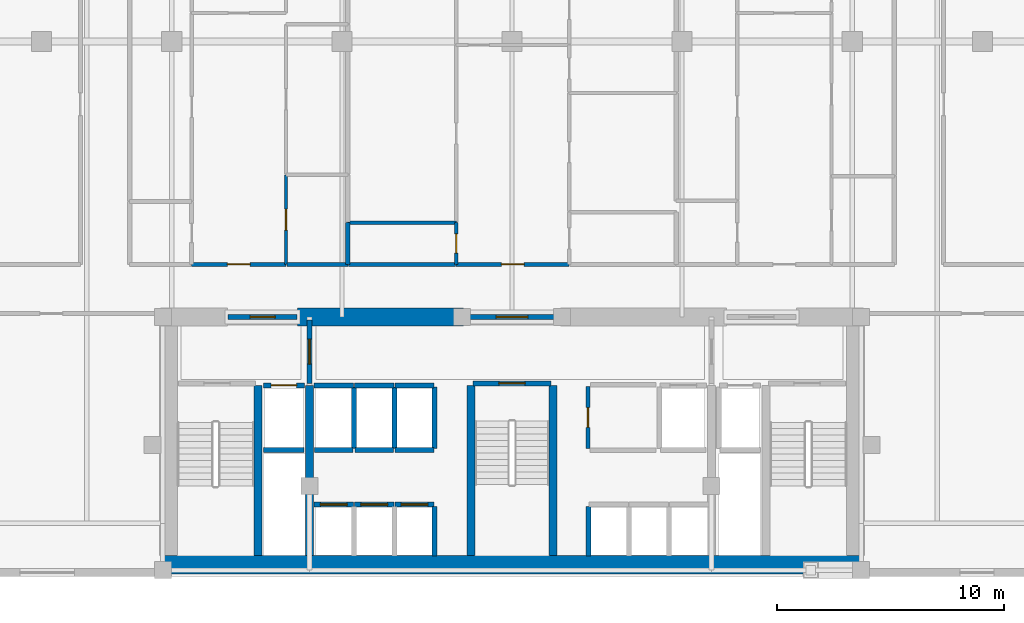
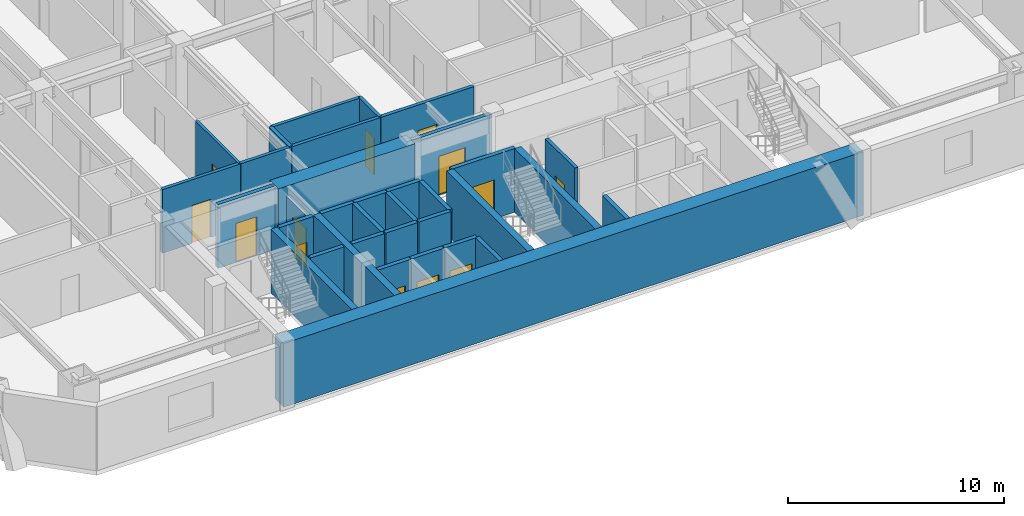
# One storey, part 3 of 10: 35 walls, 13 doors, 13 openings.
"""IFC4 building model written with IfcOpenShell, lengths in metres."""

from ifc_helpers import new_model, si_unit, direction, frame, frame_2d, origin, place, context, subcontext, project, spatial, rectangle, extrude, material, layer, layer_set, type_object, element, fill, save


model = new_model("IFC4")

# Units and contexts
model_context = context("Model", 3, precision=1e-05, world=origin(), true_north=direction((0.0, 1.0)))
body_context = subcontext(model_context, "Body", "Model", "MODEL_VIEW")
ifc_project = project(units=[si_unit("LENGTHUNIT", "METRE"), si_unit("AREAUNIT", "SQUARE_METRE"), si_unit("VOLUMEUNIT", "CUBIC_METRE"), si_unit("PLANEANGLEUNIT", "RADIAN"), si_unit("MASSUNIT", "GRAM", prefix="KILO")], contexts=[model_context])

# Site, building, storey
site_placement = place(None, origin())
site = spatial("IfcSite", under=ifc_project, at=site_placement, CompositionType="ELEMENT")
building_placement = place(site_placement, origin())
building = spatial("IfcBuilding", under=site, at=building_placement, Name="Ventersveld Concourse Tower", CompositionType="ELEMENT")
storey_placement = place(building_placement, frame((0.0, 0.0, 60.60009765625)))
storey = spatial("IfcBuildingStorey", under=building, at=storey_placement, Name="L14", CompositionType="ELEMENT", Elevation=60.60009765625)

# Walls
ifc_material_1 = material(Name="Concrete C60/75", Category="concrete")
ifc_layer_1 = layer(ifc_material_1, 0.35009765625)
ifc_layer_set_1 = layer_set([ifc_layer_1], Name="Concrete C60/75")
wall_type_1 = type_object("IfcWallType", Name="WL-CORE-350L", PredefinedType="SHEAR", material=ifc_layer_set_1)
for number, where, z_axis, x_axis, name in (
    (1, (17.5400390625, 0.919921875, 0.0), (0.0, 0.0, 1.0), (0.0, 1.0, 0.0), "L14 Core Internal Shear Web W-ST1-E"),
    (2, (19.820068359375, 0.919921875, 0.0), (0.0, 0.0, 1.0), (0.0, 1.0, 0.0), "L14 Core Internal Shear Web W-FF1-E"),
    (3, (26.93994140625, 0.919921875, 0.0), (0.0, 0.0, 1.0), (0.0, 1.0, 0.0), "L14 Core Internal Shear Web W-ST3-W"),
    (4, (30.56005859375, 0.919921875, 0.0), (0.0, 0.0, 1.0), (0.0, 1.0, 0.0), "L14 Core Internal Shear Web W-ST3-E"),
):
    element("IfcWall", number, at=place(storey_placement, frame(where, z_axis=z_axis, x_axis=x_axis)), inside=storey, type_object=wall_type_1, Name=name, PredefinedType="SHEAR", context=body_context, shape_type="SweptSolid", body=[
        extrude(rectangle(XDim=7.5, YDim=0.35009765625, at=frame_2d((3.75, 0.0))), origin(), (0.0, 0.0, 1.0), 3.599853515625),
    ])
ifc_layer_2 = layer(ifc_material_1, 0.800048828125)
ifc_layer_set_2 = layer_set([ifc_layer_2], Name="Concrete C60/75")
wall_type_2 = type_object("IfcWallType", Name="WL-CORE-800", PredefinedType="SHEAR", material=ifc_layer_set_2)
wall_1_placement = place(storey_placement, frame((13.25, 0.52001953125, 0.0), z_axis=(0.0, 0.0, 1.0), x_axis=(1.0, 0.0, 0.0)))
element("IfcWall", 5, at=wall_1_placement, inside=storey, type_object=wall_type_2, Name="L14 Rear Core South Shear Wall", PredefinedType="SHEAR", context=body_context, shape_type="SweptSolid", body=[
    extrude(rectangle(XDim=31.0, YDim=0.800048828125, at=frame_2d((15.5, 0.0))), origin(), (0.0, 0.0, 1.0), 3.599853515625),
])
wall_2_placement = place(storey_placement, frame((19.300048828125, 11.449951171875, 0.0), z_axis=(0.0, 0.0, 1.0), x_axis=(1.0, 0.0, 0.0)))
element("IfcWall", 6, at=wall_2_placement, inside=storey, type_object=wall_type_2, Name="L14 Rear Core North Shear Wall NML", PredefinedType="SHEAR", context=body_context, shape_type="SweptSolid", body=[
    extrude(rectangle(XDim=7.300048828125, YDim=0.800048828125, at=frame_2d((3.64990234375, 0.0))), origin(), (0.0, 0.0, 1.0), 3.599853515625),
])

# Wall, opening, door
ifc_material_2 = material(Name="Fire-rated autoclaved aerated masonry blockwork", Category="masonry")
ifc_layer_3 = layer(ifc_material_2, 0.179931640625)
ifc_layer_set_3 = layer_set([ifc_layer_3], Name="Fire-rated autoclaved aerated masonry blockwork")
wall_type_3 = type_object("IfcWallType", Name="WL-CORR-180", PredefinedType="PARTITIONING", material=ifc_layer_set_3)
wall_3_placement = place(storey_placement, frame((32.10009765625, 5.64990234375, 0.0), z_axis=(0.0, 0.0, 1.0), x_axis=(0.0, 1.0, 0.0)))
wall_3 = element("IfcWall", 7, at=wall_3_placement, inside=storey, type_object=wall_type_3, Name="L14 Core Passage Wall SP-L14-CBAY1", PredefinedType="PARTITIONING", context=body_context, shape_type="SweptSolid", body=[
    extrude(rectangle(XDim=2.72998046875, YDim=0.179931640625, at=frame_2d((1.364990234375, 0.0))), origin(), (0.0, 0.0, 1.0), 3.599853515625),
])
opening_1_placement = place(wall_3_placement, frame((0.925048828125, 0.0, 0.0)))
opening_1 = element("IfcOpeningElement", 8, at=opening_1_placement, cuts=wall_3, Name="Opening FD5", PredefinedType="OPENING", context=body_context, shape_type="SweptSolid", body=[
    extrude(rectangle(XDim=0.8798828125, YDim=2.050048828125, at=frame_2d((0.43994140625, 1.02490234375))), frame((0.0, 0.10009765625, 0.0), z_axis=(0.0, -1.0, 0.0), x_axis=(1.0, 0.0, 0.0)), (0.0, 0.0, 1.0), 0.199951171875),
])
ifc_material_3 = material(Name="Galvanised painted steel", Category="steel")
door_type_1 = type_object("IfcDoorType", Name="DR-RISER-088", OperationType="NOTDEFINED", PredefinedType="DOOR", material=ifc_material_3)
door_1_placement = place(opening_1_placement, origin())
door_1 = element("IfcDoor", 9, at=door_1_placement, inside=storey, type_object=door_type_1, Name="L14 Core Room Door L14 Core Housekeeping Linen Store (CD-L14-0604)", OperationType="SINGLE_SWING_LEFT", OverallHeight=2.050048828125, OverallWidth=0.8798828125, PredefinedType="DOOR", context=body_context, shape_type="SweptSolid", body=[
    extrude(rectangle(XDim=0.8798828125, YDim=2.050048828125, at=frame_2d((0.43994140625, 1.02490234375))), frame((0.0, 0.02490234375, 0.0), z_axis=(0.0, -1.0, 0.0), x_axis=(1.0, 0.0, 0.0)), (0.0, 0.0, 1.0), 0.050048828125),
])
fill(opening_1, door_1)

wall_4_placement = place(storey_placement, frame((14.61376953125, 13.77001953125, 0.0), z_axis=(0.0, 0.0, 1.0), x_axis=(1.0, 0.0, 0.0)))
wall_4 = element("IfcWall", 10, at=wall_4_placement, inside=storey, type_object=wall_type_3, Name="L14 Interior Partition SP-L14-COR-SP-L14-14CW-FOY", PredefinedType="PARTITIONING", context=body_context, shape_type="SweptSolid", body=[
    extrude(rectangle(XDim=4.17236328125, YDim=0.179931640625, at=frame_2d((2.086181640625, 0.0))), origin(), (0.0, 0.0, 1.0), 3.599853515625),
])
opening_2_placement = place(wall_4_placement, frame((1.586181640625, 0.0, 0.0)))
opening_2 = element("IfcOpeningElement", 11, at=opening_2_placement, cuts=wall_4, Name="Opening FD3", PredefinedType="OPENING", context=body_context, shape_type="SweptSolid", body=[
    extrude(rectangle(XDim=1.0, YDim=2.14990234375, at=frame_2d((0.5, 1.074951171875))), frame((0.0, 0.10009765625, 0.0), z_axis=(0.0, -1.0, 0.0), x_axis=(1.0, 0.0, 0.0)), (0.0, 0.0, 1.0), 0.199951171875),
])
ifc_material_4 = material(Name="Solid-core hardwood veneer timber", Category="wood")
door_type_2 = type_object("IfcDoorType", Name="DR-FLAT-100", OperationType="NOTDEFINED", PredefinedType="DOOR", material=ifc_material_4)
door_2_placement = place(opening_2_placement, origin())
door_2 = element("IfcDoor", 12, at=door_2_placement, inside=storey, type_object=door_type_2, Name="L14 Interior Door SP-L14-COR to SP-L14-14CW-FOY (FD-L14-0609)", OperationType="SINGLE_SWING_LEFT", OverallHeight=2.14990234375, OverallWidth=1.0, PredefinedType="DOOR", context=body_context, shape_type="SweptSolid", body=[
    extrude(rectangle(XDim=1.0, YDim=2.14990234375, at=frame_2d((0.5, 1.074951171875))), frame((0.0, 0.02490234375, 0.0), z_axis=(0.0, -1.0, 0.0), x_axis=(1.0, 0.0, 0.0)), (0.0, 0.0, 1.0), 0.050048828125),
])
fill(opening_2, door_2)

# Wall
wall_5_placement = place(storey_placement, frame((18.816162109375, 13.77001953125, 0.0), z_axis=(0.0, 0.0, 1.0), x_axis=(1.0, 0.0, 0.0)))
element("IfcWall", 13, at=wall_5_placement, inside=storey, type_object=wall_type_3, Name="L14 Interior Partition SP-L14-COR-SP-L14-14CW-KIT", PredefinedType="PARTITIONING", context=body_context, shape_type="SweptSolid", body=[
    extrude(rectangle(XDim=2.69873046875, YDim=0.179931640625, at=frame_2d((1.349365234375, 0.0))), origin(), (0.0, 0.0, 1.0), 3.599853515625),
])

# Wall, opening, door
wall_6_placement = place(storey_placement, frame((26.28466796875, 13.77001953125, 0.0), z_axis=(0.0, 0.0, 1.0), x_axis=(1.0, 0.0, 0.0)))
wall_6 = element("IfcWall", 14, at=wall_6_placement, inside=storey, type_object=wall_type_3, Name="L14 Interior Partition SP-L14-COR-SP-L14-14CM-FOY", PredefinedType="PARTITIONING", context=body_context, shape_type="SweptSolid", body=[
    extrude(rectangle(XDim=4.989990234375, YDim=0.179931640625, at=frame_2d((2.4951171875, 0.0))), origin(), (0.0, 0.0, 1.0), 3.599853515625),
])
opening_3_placement = place(wall_6_placement, frame((1.9951171875, 0.0, 0.0)))
opening_3 = element("IfcOpeningElement", 15, at=opening_3_placement, cuts=wall_6, Name="Opening FD3", PredefinedType="OPENING", context=body_context, shape_type="SweptSolid", body=[
    extrude(rectangle(XDim=1.0, YDim=2.14990234375, at=frame_2d((0.5, 1.074951171875))), frame((0.0, 0.10009765625, 0.0), z_axis=(0.0, -1.0, 0.0), x_axis=(1.0, 0.0, 0.0)), (0.0, 0.0, 1.0), 0.199951171875),
])
door_3_placement = place(opening_3_placement, origin())
door_3 = element("IfcDoor", 16, at=door_3_placement, inside=storey, type_object=door_type_2, Name="L14 Interior Door SP-L14-COR to SP-L14-14CM-FOY (FD-L14-0611)", OperationType="SINGLE_SWING_LEFT", OverallHeight=2.14990234375, OverallWidth=1.0, PredefinedType="DOOR", context=body_context, shape_type="SweptSolid", body=[
    extrude(rectangle(XDim=1.0, YDim=2.14990234375, at=frame_2d((0.5, 1.074951171875))), frame((0.0, 0.02490234375, 0.0), z_axis=(0.0, -1.0, 0.0), x_axis=(1.0, 0.0, 0.0)), (0.0, 0.0, 1.0), 0.050048828125),
])
fill(opening_3, door_3)

# Walls
wall_7_placement = place(storey_placement, frame((21.544921875, 13.77001953125, 0.0), z_axis=(0.0, 0.0, 1.0), x_axis=(1.0, 0.0, 0.0)))
element("IfcWall", 17, at=wall_7_placement, inside=storey, type_object=wall_type_3, Name="L14 Interior Partition SP-L14-COR-SP-L14-14CM-BATH", PredefinedType="PARTITIONING", context=body_context, shape_type="SweptSolid", body=[
    extrude(rectangle(XDim=4.709716796875, YDim=0.179931640625, at=frame_2d((2.35498046875, 0.0))), origin(), (0.0, 0.0, 1.0), 3.599853515625),
])
ifc_layer_4 = layer(ifc_material_2, 0.199951171875)
ifc_layer_set_4 = layer_set([ifc_layer_4], Name="Fire-rated autoclaved aerated masonry blockwork")
wall_type_4 = type_object("IfcWallType", Name="WL-DEMISE-200", PredefinedType="PARTITIONING", material=ifc_layer_set_4)
wall_8_placement = place(storey_placement, frame((21.510009765625, 13.764892578125, 0.0), z_axis=(0.0, 0.0, 1.0), x_axis=(0.0, 1.0, 0.0)))
element("IfcWall", 18, at=wall_8_placement, inside=storey, type_object=wall_type_4, Name="L14 Interior Partition SP-L14-14CW-KIT-SP-L14-14CM-BATH", PredefinedType="PARTITIONING", context=body_context, shape_type="SweptSolid", body=[
    extrude(rectangle(XDim=1.840087890625, YDim=0.199951171875, at=frame_2d((0.919921875, 0.0))), origin(), (0.0, 0.0, 1.0), 3.599853515625),
])
ifc_layer_5 = layer(ifc_material_2, 0.219970703125)
ifc_layer_set_5 = layer_set([ifc_layer_5], Name="Fire-rated autoclaved aerated masonry blockwork")
wall_type_5 = type_object("IfcWallType", Name="WL-HOIST-220", PredefinedType="SOLIDWALL", material=ifc_layer_set_5)
wall_9_placement = place(storey_placement, frame((17.800048828125, 5.590087890625, 0.0), z_axis=(0.0, 0.0, 1.0), x_axis=(1.0, 0.0, 0.0)))
element("IfcWall", 19, at=wall_9_placement, inside=storey, type_object=wall_type_5, Name="L14 Lift Hoistway Back Wall FFL-01", PredefinedType="SOLIDWALL", context=body_context, shape_type="SweptSolid", body=[
    extrude(rectangle(XDim=1.780029296875, YDim=0.219970703125, at=frame_2d((0.89013671875, 0.0))), origin(), (0.0, 0.0, 1.0), 3.599853515625),
])

# Wall, opening, door
wall_10_placement = place(storey_placement, frame((17.780029296875, 8.429931640625, 0.0), z_axis=(0.0, 0.0, 1.0), x_axis=(1.0, 0.0, 0.0)))
wall_10 = element("IfcWall", 20, at=wall_10_placement, inside=storey, type_object=wall_type_5, Name="L14 Lift Hoistway Front Wall FFL-01", PredefinedType="SOLIDWALL", context=body_context, shape_type="SweptSolid", body=[
    extrude(rectangle(XDim=1.820068359375, YDim=0.219970703125, at=frame_2d((0.91015625, 0.0))), origin(), (0.0, 0.0, 1.0), 3.599853515625),
])
opening_4_placement = place(wall_10_placement, frame((0.35009765625, 0.0, 0.0)))
opening_4 = element("IfcOpeningElement", 21, at=opening_4_placement, cuts=wall_10, Name="Opening LD1", PredefinedType="OPENING", context=body_context, shape_type="SweptSolid", body=[
    extrude(rectangle(XDim=1.1201171875, YDim=2.25, at=frame_2d((0.56005859375, 1.125))), frame((0.0, 0.1201171875, 0.0), z_axis=(0.0, -1.0, 0.0), x_axis=(1.0, 0.0, 0.0)), (0.0, 0.0, 1.0), 0.239990234375),
])
ifc_material_5 = material(Name="Brushed stainless steel 316", Category="steel")
door_type_3 = type_object("IfcDoorType", Name="LD-FF-112", OperationType="SLIDING_TO_LEFT", PredefinedType="DOOR", material=ifc_material_5)
door_4_placement = place(opening_4_placement, origin())
door_4 = element("IfcDoor", 22, at=door_4_placement, inside=storey, type_object=door_type_3, Name="L14 Lift landing door FFL-01 (LD-L14-FFL-01)", OperationType="SLIDING_TO_LEFT", OverallHeight=2.25, OverallWidth=1.1201171875, PredefinedType="DOOR", context=body_context, shape_type="SweptSolid", body=[
    extrude(rectangle(XDim=1.1201171875, YDim=2.25, at=frame_2d((0.56005859375, 1.125))), frame((0.0, 0.02490234375, 0.0), z_axis=(0.0, -1.0, 0.0), x_axis=(1.0, 0.0, 0.0)), (0.0, 0.0, 1.0), 0.050048828125),
])
fill(opening_4, door_4)

wall_11_placement = place(storey_placement, frame((20.02001953125, 3.179931640625, 0.0), z_axis=(0.0, 0.0, 1.0), x_axis=(1.0, 0.0, 0.0)))
wall_11 = element("IfcWall", 23, at=wall_11_placement, inside=storey, type_object=wall_type_5, Name="L14 Lift Hoistway Front Wall PL-01", PredefinedType="SOLIDWALL", context=body_context, shape_type="SweptSolid", body=[
    extrude(rectangle(XDim=1.739990234375, YDim=0.219970703125, at=frame_2d((0.8701171875, 0.0))), origin(), (0.0, 0.0, 1.0), 3.599853515625),
])
opening_5_placement = place(wall_11_placement, frame((0.280029296875, 0.0, 0.0)))
opening_5 = element("IfcOpeningElement", 24, at=opening_5_placement, cuts=wall_11, Name="Opening LD2", PredefinedType="OPENING", context=body_context, shape_type="SweptSolid", body=[
    extrude(rectangle(XDim=1.179931640625, YDim=2.199951171875, at=frame_2d((0.58984375, 1.10009765625))), frame((0.0, 0.1201171875, 0.0), z_axis=(0.0, -1.0, 0.0), x_axis=(1.0, 0.0, 0.0)), (0.0, 0.0, 1.0), 0.239990234375),
])
door_type_4 = type_object("IfcDoorType", Name="LD-PAX-118", OperationType="SLIDING_TO_LEFT", PredefinedType="DOOR", material=ifc_material_5)
door_5_placement = place(opening_5_placement, origin())
door_5 = element("IfcDoor", 25, at=door_5_placement, inside=storey, type_object=door_type_4, Name="L14 Lift landing door PL-01 (LD-L14-PL-01)", OperationType="SLIDING_TO_RIGHT", OverallHeight=2.199951171875, OverallWidth=1.179931640625, PredefinedType="DOOR", context=body_context, shape_type="SweptSolid", body=[
    extrude(rectangle(XDim=1.179931640625, YDim=2.199951171875, at=frame_2d((0.58984375, 1.10009765625))), frame((0.0, 0.02490234375, 0.0), z_axis=(0.0, -1.0, 0.0), x_axis=(1.0, 0.0, 0.0)), (0.0, 0.0, 1.0), 0.050048828125),
])
fill(opening_5, door_5)

wall_12_placement = place(storey_placement, frame((21.800048828125, 3.179931640625, 0.0), z_axis=(0.0, 0.0, 1.0), x_axis=(1.0, 0.0, 0.0)))
wall_12 = element("IfcWall", 26, at=wall_12_placement, inside=storey, type_object=wall_type_5, Name="L14 Lift Hoistway Front Wall PL-02", PredefinedType="SOLIDWALL", context=body_context, shape_type="SweptSolid", body=[
    extrude(rectangle(XDim=1.739990234375, YDim=0.219970703125, at=frame_2d((0.8701171875, 0.0))), origin(), (0.0, 0.0, 1.0), 3.599853515625),
])
opening_6_placement = place(wall_12_placement, frame((0.280029296875, 0.0, 0.0)))
opening_6 = element("IfcOpeningElement", 27, at=opening_6_placement, cuts=wall_12, Name="Opening LD2", PredefinedType="OPENING", context=body_context, shape_type="SweptSolid", body=[
    extrude(rectangle(XDim=1.179931640625, YDim=2.199951171875, at=frame_2d((0.58984375, 1.10009765625))), frame((0.0, 0.1201171875, 0.0), z_axis=(0.0, -1.0, 0.0), x_axis=(1.0, 0.0, 0.0)), (0.0, 0.0, 1.0), 0.239990234375),
])
door_6_placement = place(opening_6_placement, origin())
door_6 = element("IfcDoor", 28, at=door_6_placement, inside=storey, type_object=door_type_4, Name="L14 Lift landing door PL-02 (LD-L14-PL-02)", OperationType="SLIDING_TO_LEFT", OverallHeight=2.199951171875, OverallWidth=1.179931640625, PredefinedType="DOOR", context=body_context, shape_type="SweptSolid", body=[
    extrude(rectangle(XDim=1.179931640625, YDim=2.199951171875, at=frame_2d((0.58984375, 1.10009765625))), frame((0.0, 0.02490234375, 0.0), z_axis=(0.0, -1.0, 0.0), x_axis=(1.0, 0.0, 0.0)), (0.0, 0.0, 1.0), 0.050048828125),
])
fill(opening_6, door_6)

# Wall
wall_13_placement = place(storey_placement, frame((25.340087890625, 0.89990234375, 0.0), z_axis=(0.0, 0.0, 1.0), x_axis=(0.0, 1.0, 0.0)))
element("IfcWall", 29, at=wall_13_placement, inside=storey, type_object=wall_type_5, Name="L14 Lift Hoistway Side Wall PL-03E", PredefinedType="SOLIDWALL", context=body_context, shape_type="SweptSolid", body=[
    extrude(rectangle(XDim=2.2001953125, YDim=0.219970703125, at=frame_2d((1.10009765625, 0.0))), origin(), (0.0, 0.0, 1.0), 3.599853515625),
])

# Wall, opening, door
wall_14_placement = place(storey_placement, frame((23.580078125, 3.179931640625, 0.0), z_axis=(0.0, 0.0, 1.0), x_axis=(1.0, 0.0, 0.0)))
wall_14 = element("IfcWall", 30, at=wall_14_placement, inside=storey, type_object=wall_type_5, Name="L14 Lift Hoistway Front Wall PL-03", PredefinedType="SOLIDWALL", context=body_context, shape_type="SweptSolid", body=[
    extrude(rectangle(XDim=1.739990234375, YDim=0.219970703125, at=frame_2d((0.8701171875, 0.0))), origin(), (0.0, 0.0, 1.0), 3.599853515625),
])
opening_7_placement = place(wall_14_placement, frame((0.280029296875, 0.0, 0.0)))
opening_7 = element("IfcOpeningElement", 31, at=opening_7_placement, cuts=wall_14, Name="Opening LD2", PredefinedType="OPENING", context=body_context, shape_type="SweptSolid", body=[
    extrude(rectangle(XDim=1.179931640625, YDim=2.199951171875, at=frame_2d((0.58984375, 1.10009765625))), frame((0.0, 0.1201171875, 0.0), z_axis=(0.0, -1.0, 0.0), x_axis=(1.0, 0.0, 0.0)), (0.0, 0.0, 1.0), 0.239990234375),
])
door_7_placement = place(opening_7_placement, origin())
door_7 = element("IfcDoor", 32, at=door_7_placement, inside=storey, type_object=door_type_4, Name="L14 Lift landing door PL-03 (LD-L14-PL-03)", OperationType="SLIDING_TO_RIGHT", OverallHeight=2.199951171875, OverallWidth=1.179931640625, PredefinedType="DOOR", context=body_context, shape_type="SweptSolid", body=[
    extrude(rectangle(XDim=1.179931640625, YDim=2.199951171875, at=frame_2d((0.58984375, 1.10009765625))), frame((0.0, 0.02490234375, 0.0), z_axis=(0.0, -1.0, 0.0), x_axis=(1.0, 0.0, 0.0)), (0.0, 0.0, 1.0), 0.050048828125),
])
fill(opening_7, door_7)

# Walls
wall_15_placement = place(storey_placement, frame((32.1201171875, 0.89990234375, 0.0), z_axis=(0.0, 0.0, 1.0), x_axis=(0.0, 1.0, 0.0)))
element("IfcWall", 33, at=wall_15_placement, inside=storey, type_object=wall_type_5, Name="L14 Lift Hoistway Side Wall PM-01W", PredefinedType="SOLIDWALL", context=body_context, shape_type="SweptSolid", body=[
    extrude(rectangle(XDim=2.2001953125, YDim=0.219970703125, at=frame_2d((1.10009765625, 0.0))), origin(), (0.0, 0.0, 1.0), 3.599853515625),
])
wall_16_placement = place(storey_placement, frame((20.0400390625, 5.590087890625, 0.0), z_axis=(0.0, 0.0, 1.0), x_axis=(1.0, 0.0, 0.0)))
element("IfcWall", 34, at=wall_16_placement, inside=storey, type_object=wall_type_5, Name="L14 Lift Hoistway Back Wall PH-01", PredefinedType="SOLIDWALL", context=body_context, shape_type="SweptSolid", body=[
    extrude(rectangle(XDim=1.699951171875, YDim=0.219970703125, at=frame_2d((0.85009765625, 0.0))), origin(), (0.0, 0.0, 1.0), 3.599853515625),
])
wall_17_placement = place(storey_placement, frame((21.780029296875, 5.64990234375, 0.0), z_axis=(0.0, 0.0, 1.0), x_axis=(0.0, 1.0, 0.0)))
element("IfcWall", 35, at=wall_17_placement, inside=storey, type_object=wall_type_5, Name="L14 Lift Hoistway Side Wall PH-01E", PredefinedType="SOLIDWALL", context=body_context, shape_type="SweptSolid", body=[
    extrude(rectangle(XDim=2.7001953125, YDim=0.219970703125, at=frame_2d((1.35009765625, 0.0))), origin(), (0.0, 0.0, 1.0), 3.599853515625),
])
wall_18_placement = place(storey_placement, frame((20.02001953125, 8.429931640625, 0.0), z_axis=(0.0, 0.0, 1.0), x_axis=(1.0, 0.0, 0.0)))
element("IfcWall", 36, at=wall_18_placement, inside=storey, type_object=wall_type_5, Name="L14 Lift Hoistway Front Wall PH-01", PredefinedType="SOLIDWALL", context=body_context, shape_type="SweptSolid", body=[
    extrude(rectangle(XDim=1.739990234375, YDim=0.219970703125, at=frame_2d((0.8701171875, 0.0))), origin(), (0.0, 0.0, 1.0), 3.599853515625),
])
wall_19_placement = place(storey_placement, frame((21.820068359375, 5.590087890625, 0.0), z_axis=(0.0, 0.0, 1.0), x_axis=(1.0, 0.0, 0.0)))
element("IfcWall", 37, at=wall_19_placement, inside=storey, type_object=wall_type_5, Name="L14 Lift Hoistway Back Wall PH-02", PredefinedType="SOLIDWALL", context=body_context, shape_type="SweptSolid", body=[
    extrude(rectangle(XDim=1.699951171875, YDim=0.219970703125, at=frame_2d((0.85009765625, 0.0))), origin(), (0.0, 0.0, 1.0), 3.599853515625),
])
wall_20_placement = place(storey_placement, frame((23.56005859375, 5.64990234375, 0.0), z_axis=(0.0, 0.0, 1.0), x_axis=(0.0, 1.0, 0.0)))
element("IfcWall", 38, at=wall_20_placement, inside=storey, type_object=wall_type_5, Name="L14 Lift Hoistway Side Wall PH-02E", PredefinedType="SOLIDWALL", context=body_context, shape_type="SweptSolid", body=[
    extrude(rectangle(XDim=2.7001953125, YDim=0.219970703125, at=frame_2d((1.35009765625, 0.0))), origin(), (0.0, 0.0, 1.0), 3.599853515625),
])
wall_21_placement = place(storey_placement, frame((21.800048828125, 8.429931640625, 0.0), z_axis=(0.0, 0.0, 1.0), x_axis=(1.0, 0.0, 0.0)))
element("IfcWall", 39, at=wall_21_placement, inside=storey, type_object=wall_type_5, Name="L14 Lift Hoistway Front Wall PH-02", PredefinedType="SOLIDWALL", context=body_context, shape_type="SweptSolid", body=[
    extrude(rectangle(XDim=1.739990234375, YDim=0.219970703125, at=frame_2d((0.8701171875, 0.0))), origin(), (0.0, 0.0, 1.0), 3.599853515625),
])
wall_22_placement = place(storey_placement, frame((23.60009765625, 5.590087890625, 0.0), z_axis=(0.0, 0.0, 1.0), x_axis=(1.0, 0.0, 0.0)))
element("IfcWall", 40, at=wall_22_placement, inside=storey, type_object=wall_type_5, Name="L14 Lift Hoistway Back Wall PH-03", PredefinedType="SOLIDWALL", context=body_context, shape_type="SweptSolid", body=[
    extrude(rectangle(XDim=1.699951171875, YDim=0.219970703125, at=frame_2d((0.85009765625, 0.0))), origin(), (0.0, 0.0, 1.0), 3.599853515625),
])
wall_23_placement = place(storey_placement, frame((25.340087890625, 5.64990234375, 0.0), z_axis=(0.0, 0.0, 1.0), x_axis=(0.0, 1.0, 0.0)))
element("IfcWall", 41, at=wall_23_placement, inside=storey, type_object=wall_type_5, Name="L14 Lift Hoistway Side Wall PH-03E", PredefinedType="SOLIDWALL", context=body_context, shape_type="SweptSolid", body=[
    extrude(rectangle(XDim=2.7001953125, YDim=0.219970703125, at=frame_2d((1.35009765625, 0.0))), origin(), (0.0, 0.0, 1.0), 3.599853515625),
])
wall_24_placement = place(storey_placement, frame((23.580078125, 8.429931640625, 0.0), z_axis=(0.0, 0.0, 1.0), x_axis=(1.0, 0.0, 0.0)))
element("IfcWall", 42, at=wall_24_placement, inside=storey, type_object=wall_type_5, Name="L14 Lift Hoistway Front Wall PH-03", PredefinedType="SOLIDWALL", context=body_context, shape_type="SweptSolid", body=[
    extrude(rectangle(XDim=1.739990234375, YDim=0.219970703125, at=frame_2d((0.8701171875, 0.0))), origin(), (0.0, 0.0, 1.0), 3.599853515625),
])

# Wall, opening, door
wall_25_placement = place(storey_placement, frame((27.0400390625, 8.52001953125, 0.0), z_axis=(0.0, 0.0, 1.0), x_axis=(1.0, 0.0, 0.0)))
wall_25 = element("IfcWall", 43, at=wall_25_placement, inside=storey, type_object=wall_type_5, Name="L14 Escape Stair ST03 Fire Wall", PredefinedType="SOLIDWALL", context=body_context, shape_type="SweptSolid", body=[
    extrude(rectangle(XDim=3.419921875, YDim=0.219970703125, at=frame_2d((1.7099609375, 0.0))), origin(), (0.0, 0.0, 1.0), 3.599853515625),
])
opening_8_placement = place(wall_25_placement, frame((1.135009765625, 0.0, 0.0)))
opening_8 = element("IfcOpeningElement", 44, at=opening_8_placement, cuts=wall_25, Name="Opening FD1", PredefinedType="OPENING", context=body_context, shape_type="SweptSolid", body=[
    extrude(rectangle(XDim=1.14990234375, YDim=2.199951171875, at=frame_2d((0.574951171875, 1.10009765625))), frame((0.0, 0.1201171875, 0.0), z_axis=(0.0, -1.0, 0.0), x_axis=(1.0, 0.0, 0.0)), (0.0, 0.0, 1.0), 0.239990234375),
])
door_type_5 = type_object("IfcDoorType", Name="DR-STAIR-115", OperationType="NOTDEFINED", PredefinedType="DOOR", material=ifc_material_3)
door_8_placement = place(opening_8_placement, origin())
door_8 = element("IfcDoor", 45, at=door_8_placement, inside=storey, type_object=door_type_5, Name="L14 Escape Stair Door ST03 (SD-L14-0598)", OperationType="SINGLE_SWING_LEFT", OverallHeight=2.199951171875, OverallWidth=1.14990234375, PredefinedType="DOOR", context=body_context, shape_type="SweptSolid", body=[
    extrude(rectangle(XDim=1.14990234375, YDim=2.199951171875, at=frame_2d((0.574951171875, 1.10009765625))), frame((0.0, 0.02490234375, 0.0), z_axis=(0.0, -1.0, 0.0), x_axis=(1.0, 0.0, 0.0)), (0.0, 0.0, 1.0), 0.050048828125),
])
fill(opening_8, door_8)

wall_26_placement = place(storey_placement, frame((19.820068359375, 8.52001953125, 0.0), z_axis=(0.0, 0.0, 1.0), x_axis=(0.0, 1.0, 0.0)))
wall_26 = element("IfcWall", 46, at=wall_26_placement, inside=storey, type_object=wall_type_5, Name="L14 Firefighting Lobby Smoke-Stop Wall FFLW-SEP", PredefinedType="SOLIDWALL", context=body_context, shape_type="SweptSolid", body=[
    extrude(rectangle(XDim=2.800048828125, YDim=0.219970703125, at=frame_2d((1.39990234375, 0.0))), origin(), (0.0, 0.0, 1.0), 3.055419921875),
])
opening_9_placement = place(wall_26_placement, frame((0.85009765625, 0.0, 0.0)))
opening_9 = element("IfcOpeningElement", 47, at=opening_9_placement, cuts=wall_26, Name="Opening FD2", PredefinedType="OPENING", context=body_context, shape_type="SweptSolid", body=[
    extrude(rectangle(XDim=1.10009765625, YDim=2.199951171875, at=frame_2d((0.550048828125, 1.10009765625))), frame((0.0, 0.1201171875, 0.0), z_axis=(0.0, -1.0, 0.0), x_axis=(1.0, 0.0, 0.0)), (0.0, 0.0, 1.0), 0.239990234375),
])
door_type_6 = type_object("IfcDoorType", Name="DR-FFL-110", OperationType="NOTDEFINED", PredefinedType="DOOR", material=ifc_material_3)
door_9_placement = place(opening_9_placement, origin())
door_9 = element("IfcDoor", 48, at=door_9_placement, inside=storey, type_object=door_type_6, Name="L14 Firefighting Lobby Door FFLW-SEP (FD-L14-0599)", OperationType="SINGLE_SWING_LEFT", OverallHeight=2.199951171875, OverallWidth=1.10009765625, PredefinedType="DOOR", context=body_context, shape_type="SweptSolid", body=[
    extrude(rectangle(XDim=1.10009765625, YDim=2.199951171875, at=frame_2d((0.550048828125, 1.10009765625))), frame((0.0, 0.02490234375, 0.0), z_axis=(0.0, -1.0, 0.0), x_axis=(1.0, 0.0, 0.0)), (0.0, 0.0, 1.0), 0.050048828125),
])
fill(opening_9, door_9)

wall_27_placement = place(storey_placement, frame((16.22998046875, 11.449951171875, 0.0), z_axis=(0.0, 0.0, 1.0), x_axis=(1.0, 0.0, 0.0)))
wall_27 = element("IfcWall", 49, at=wall_27_placement, inside=storey, type_object=wall_type_5, Name="L14 Core North Fire Portal FFLW-OUT", PredefinedType="SOLIDWALL", context=body_context, shape_type="SweptSolid", body=[
    extrude(rectangle(XDim=3.0400390625, YDim=0.219970703125, at=frame_2d((1.52001953125, 0.0))), origin(), (0.0, 0.0, 1.0), 3.599853515625),
])
opening_10_placement = place(wall_27_placement, frame((0.969970703125, 0.0, 0.0)))
opening_10 = element("IfcOpeningElement", 50, at=opening_10_placement, cuts=wall_27, Name="Opening FD2", PredefinedType="OPENING", context=body_context, shape_type="SweptSolid", body=[
    extrude(rectangle(XDim=1.10009765625, YDim=2.199951171875, at=frame_2d((0.550048828125, 1.10009765625))), frame((0.0, 0.1201171875, 0.0), z_axis=(0.0, -1.0, 0.0), x_axis=(1.0, 0.0, 0.0)), (0.0, 0.0, 1.0), 0.239990234375),
])
door_10_placement = place(opening_10_placement, origin())
door_10 = element("IfcDoor", 51, at=door_10_placement, inside=storey, type_object=door_type_6, Name="L14 Core Lobby Fire Door FFLW-OUT (FD-L14-0601)", OperationType="SINGLE_SWING_RIGHT", OverallHeight=2.199951171875, OverallWidth=1.10009765625, PredefinedType="DOOR", context=body_context, shape_type="SweptSolid", body=[
    extrude(rectangle(XDim=1.10009765625, YDim=2.199951171875, at=frame_2d((0.550048828125, 1.10009765625))), frame((0.0, 0.02490234375, 0.0), z_axis=(0.0, -1.0, 0.0), x_axis=(1.0, 0.0, 0.0)), (0.0, 0.0, 1.0), 0.050048828125),
])
fill(opening_10, door_10)

wall_28_placement = place(storey_placement, frame((26.6298828125, 11.449951171875, 0.0), z_axis=(0.0, 0.0, 1.0), x_axis=(1.0, 0.0, 0.0)))
wall_28 = element("IfcWall", 52, at=wall_28_placement, inside=storey, type_object=wall_type_5, Name="L14 Core North Fire Portal PLOB-OUT", PredefinedType="SOLIDWALL", context=body_context, shape_type="SweptSolid", body=[
    extrude(rectangle(XDim=4.240234375, YDim=0.219970703125, at=frame_2d((2.1201171875, 0.0))), origin(), (0.0, 0.0, 1.0), 3.599853515625),
])
opening_11_placement = place(wall_28_placement, frame((1.419921875, 0.0, 0.0)))
opening_11 = element("IfcOpeningElement", 53, at=opening_11_placement, cuts=wall_28, Name="Opening FD4", PredefinedType="OPENING", context=body_context, shape_type="SweptSolid", body=[
    extrude(rectangle(XDim=1.39990234375, YDim=2.199951171875, at=frame_2d((0.699951171875, 1.10009765625))), frame((0.0, 0.1201171875, 0.0), z_axis=(0.0, -1.0, 0.0), x_axis=(1.0, 0.0, 0.0)), (0.0, 0.0, 1.0), 0.239990234375),
])
door_type_7 = type_object("IfcDoorType", Name="DR-PLANT-140", OperationType="DOUBLE_DOOR_SINGLE_SWING", PredefinedType="DOOR", material=ifc_material_3)
door_11_placement = place(opening_11_placement, origin())
door_11 = element("IfcDoor", 54, at=door_11_placement, inside=storey, type_object=door_type_7, Name="L14 Core Lobby Fire Door PLOB-OUT (FD-L14-0602)", OperationType="DOUBLE_DOOR_SINGLE_SWING", OverallHeight=2.199951171875, OverallWidth=1.39990234375, PredefinedType="DOOR", context=body_context, shape_type="SweptSolid", body=[
    extrude(rectangle(XDim=1.39990234375, YDim=2.199951171875, at=frame_2d((0.699951171875, 1.10009765625))), frame((0.0, 0.02490234375, 0.0), z_axis=(0.0, -1.0, 0.0), x_axis=(1.0, 0.0, 0.0)), (0.0, 0.0, 1.0), 0.050048828125),
])
fill(opening_11, door_11)

ifc_material_6 = material(Name="Autoclaved aerated masonry blockwork", Category="masonry")
ifc_layer_6 = layer(ifc_material_6, 0.14990234375)
ifc_layer_set_6 = layer_set([ifc_layer_6], Name="Autoclaved aerated masonry blockwork")
wall_type_6 = type_object("IfcWallType", Name="WL-INT-150", PredefinedType="PARTITIONING", material=ifc_layer_set_6)
wall_29_placement = place(storey_placement, frame((18.78125, 13.764892578125, 0.0), z_axis=(0.0, 0.0, 1.0), x_axis=(0.0, 1.0, 0.0)))
wall_29 = element("IfcWall", 55, at=wall_29_placement, inside=storey, type_object=wall_type_6, Name="L14 Interior Partition SP-L14-14CW-FOY-SP-L14-14CW-KIT", PredefinedType="PARTITIONING", context=body_context, shape_type="SweptSolid", body=[
    extrude(rectangle(XDim=3.95654296875, YDim=0.14990234375, at=frame_2d((1.978271484375, 0.0))), origin(), (0.0, 0.0, 1.0), 3.599853515625),
])
opening_12_placement = place(wall_29_placement, frame((1.518310546875, 0.0, 0.0)))
opening_12 = element("IfcOpeningElement", 56, at=opening_12_placement, cuts=wall_29, Name="Opening ID1", PredefinedType="OPENING", context=body_context, shape_type="SweptSolid", body=[
    extrude(rectangle(XDim=0.919921875, YDim=2.10009765625, at=frame_2d((0.4599609375, 1.050048828125))), frame((0.0, 0.0849609375, 0.0), z_axis=(0.0, -1.0, 0.0), x_axis=(1.0, 0.0, 0.0)), (0.0, 0.0, 1.0), 0.169921875),
])
door_type_8 = type_object("IfcDoorType", Name="DR-ROOM-092", OperationType="NOTDEFINED", PredefinedType="DOOR", material=ifc_material_4)
door_12_placement = place(opening_12_placement, origin())
door_12 = element("IfcDoor", 57, at=door_12_placement, inside=storey, type_object=door_type_8, Name="L14 Interior Door SP-L14-14CW-FOY to SP-L14-14CW-KIT (D-L14-0617)", OperationType="SINGLE_SWING_LEFT", OverallHeight=2.10009765625, OverallWidth=0.919921875, PredefinedType="DOOR", context=body_context, shape_type="SweptSolid", body=[
    extrude(rectangle(XDim=0.919921875, YDim=2.10009765625, at=frame_2d((0.4599609375, 1.050048828125))), frame((0.0, 0.02490234375, 0.0), z_axis=(0.0, -1.0, 0.0), x_axis=(1.0, 0.0, 0.0)), (0.0, 0.0, 1.0), 0.050048828125),
])
fill(opening_12, door_12)

ifc_layer_7 = layer(ifc_material_6, 0.1650390625)
ifc_layer_set_7 = layer_set([ifc_layer_7], Name="Autoclaved aerated masonry blockwork")
wall_type_7 = type_object("IfcWallType", Name="WL-WET-165", PredefinedType="PLUMBINGWALL", material=ifc_layer_set_7)
wall_30_placement = place(storey_placement, frame((26.289794921875, 13.764892578125, 0.0), z_axis=(0.0, 0.0, 1.0), x_axis=(0.0, 1.0, 0.0)))
wall_30 = element("IfcWall", 58, at=wall_30_placement, inside=storey, type_object=wall_type_7, Name="L14 Interior Partition SP-L14-14CM-FOY-SP-L14-14CM-BATH", PredefinedType="PLUMBINGWALL", context=body_context, shape_type="SweptSolid", body=[
    extrude(rectangle(XDim=1.840087890625, YDim=0.1650390625, at=frame_2d((0.919921875, 0.0))), origin(), (0.0, 0.0, 1.0), 3.599853515625),
])
opening_13_placement = place(wall_30_placement, frame((0.4951171875, 0.0, 0.0)))
opening_13 = element("IfcOpeningElement", 59, at=opening_13_placement, cuts=wall_30, Name="Opening ID2", PredefinedType="OPENING", context=body_context, shape_type="SweptSolid", body=[
    extrude(rectangle(XDim=0.85009765625, YDim=2.10009765625, at=frame_2d((0.425048828125, 1.050048828125))), frame((0.0, 0.092529296875, 0.0), z_axis=(0.0, -1.0, 0.0), x_axis=(1.0, 0.0, 0.0)), (0.0, 0.0, 1.0), 0.18505859375),
])
door_type_9 = type_object("IfcDoorType", Name="DR-BATH-085", OperationType="NOTDEFINED", PredefinedType="DOOR", material=ifc_material_4)
door_13_placement = place(opening_13_placement, origin())
door_13 = element("IfcDoor", 60, at=door_13_placement, inside=storey, type_object=door_type_9, Name="L14 Interior Door SP-L14-14CM-FOY to SP-L14-14CM-BATH (D-L14-0635)", OperationType="SINGLE_SWING_LEFT", OverallHeight=2.10009765625, OverallWidth=0.85009765625, PredefinedType="DOOR", context=body_context, shape_type="SweptSolid", body=[
    extrude(rectangle(XDim=0.85009765625, YDim=2.10009765625, at=frame_2d((0.425048828125, 1.050048828125))), frame((0.0, 0.02490234375, 0.0), z_axis=(0.0, -1.0, 0.0), x_axis=(1.0, 0.0, 0.0)), (0.0, 0.0, 1.0), 0.050048828125),
])
fill(opening_13, door_13)

# Wall
wall_31_placement = place(storey_placement, frame((21.5048828125, 15.60009765625, 0.0), z_axis=(0.0, 0.0, 1.0), x_axis=(1.0, 0.0, 0.0)))
element("IfcWall", 61, at=wall_31_placement, inside=storey, type_object=wall_type_7, Name="L14 Interior Partition SP-L14-14CM-BATH-SP-L14-14CM-SEML0", PredefinedType="PLUMBINGWALL", context=body_context, shape_type="SweptSolid", body=[
    extrude(rectangle(XDim=4.789794921875, YDim=0.1650390625, at=frame_2d((2.39501953125, 0.0))), origin(), (0.0, 0.0, 1.0), 3.599853515625),
])

save(model, "model.ifc")
